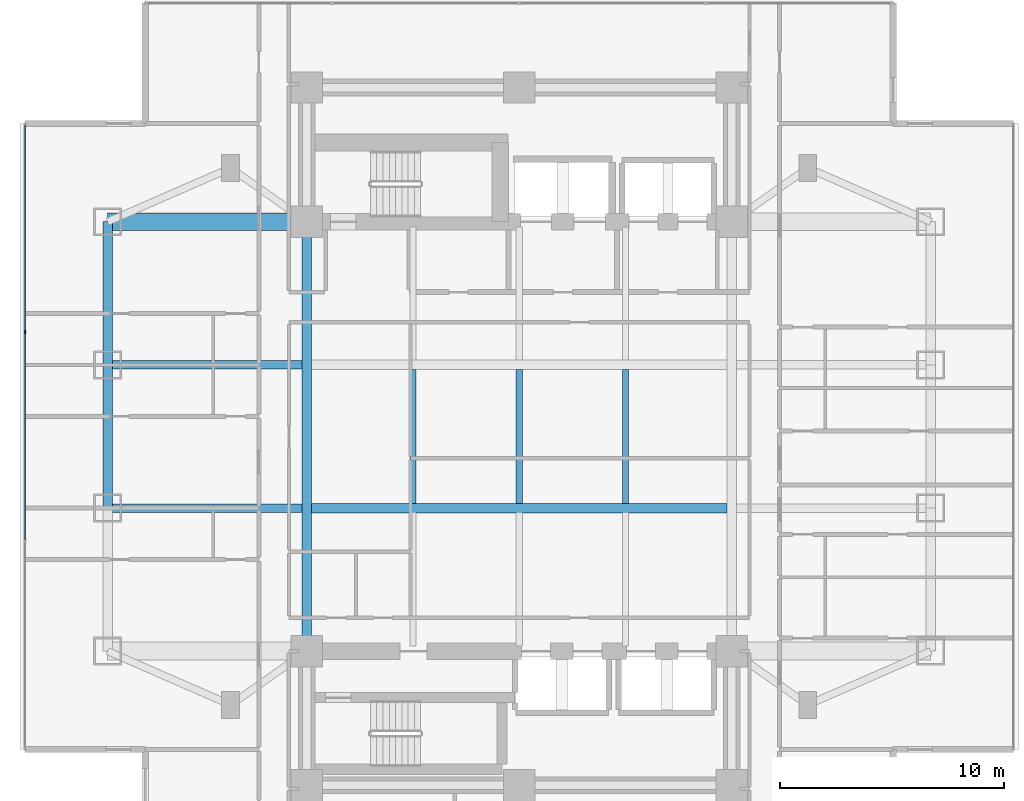
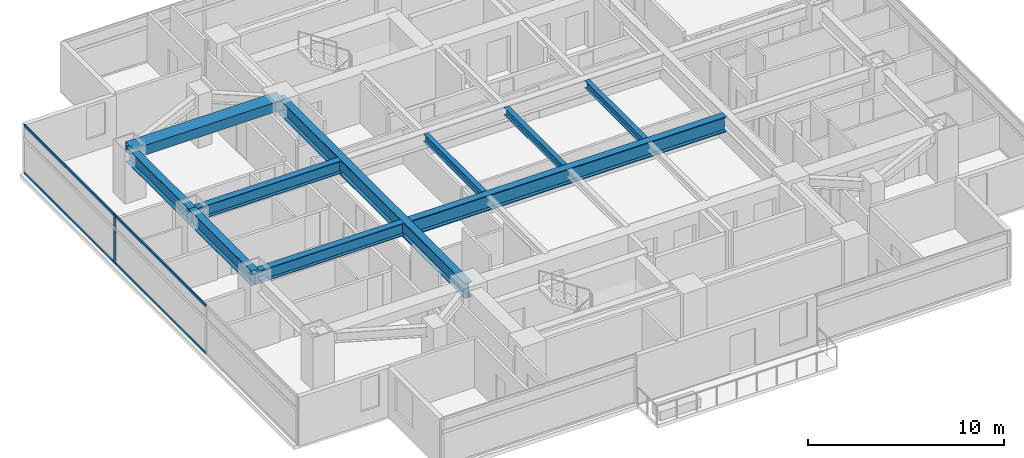
# One storey, part 3 of 25: 10 beams, 5 members, 1 element without a shape of its own.
"""IFC4 building model written with IfcOpenShell, lengths in metres."""

from ifc_helpers import new_model, si_unit, direction, frame, origin, origin_2d, place, context, subcontext, project, spatial, rectangle, i_section, extrude, material, material_profile, profile_set, type_object, element, aggregate, save


model = new_model("IFC4")

# Units and contexts
model_context = context("Model", 3, precision=1e-05, world=origin(), true_north=direction((0.0, 1.0)))
body_context = subcontext(model_context, "Body", "Model", "MODEL_VIEW")
ifc_project = project(units=[si_unit("LENGTHUNIT", "METRE"), si_unit("AREAUNIT", "SQUARE_METRE"), si_unit("VOLUMEUNIT", "CUBIC_METRE"), si_unit("PLANEANGLEUNIT", "RADIAN"), si_unit("MASSUNIT", "GRAM", prefix="KILO")], contexts=[model_context])

# Site, building, storey
site_placement = place(None, origin())
site = spatial("IfcSite", under=ifc_project, at=site_placement, CompositionType="ELEMENT")
building_placement = place(site_placement, origin())
building = spatial("IfcBuilding", under=site, at=building_placement, Name="Mirazonda Arch Towers", CompositionType="ELEMENT")
storey_placement = place(building_placement, frame((0.0, 0.0, 35.60009765625)))
storey = spatial("IfcBuildingStorey", under=building, at=storey_placement, Name="L09", CompositionType="ELEMENT", Elevation=35.60009765625)

# Beams
ifc_material_1 = material(Name="Steel ASTM A992 Grade 50", Category="steel")
ifc_material_profile_1 = material_profile(ifc_material_1, i_section(OverallWidth=0.41796875, OverallDepth=0.927001953125, WebThickness=0.019287109375, FlangeThickness=0.031982421875, at=origin_2d()), Name="W36X231")
ifc_profile_set_1 = profile_set([ifc_material_profile_1], Name="Steel ASTM A992 Grade 50")
beam_type_1 = type_object("IfcBeamType", Name="BM-EXT-W36X231", PredefinedType="USERDEFINED", material=ifc_profile_set_1)
beam_1_placement = place(storey_placement, frame((2.10009765625, 24.800048828125, 2.596435546875), z_axis=(0.0, 1.0, 0.0), x_axis=(-1.0, 0.0, 0.0)))
element("IfcBeam", 1, at=beam_1_placement, inside=storey, type_object=beam_type_1, Name="L09 Floor Beam BM-T1-L09-NS-W-24", ObjectType="GIRDER", PredefinedType="USERDEFINED", context=body_context, shape_type="SweptSolid", body=[
    extrude(i_section(OverallWidth=0.41796875, OverallDepth=0.927001953125, WebThickness=0.019287109375, FlangeThickness=0.031982421875, at=origin_2d()), origin(), (0.0, 0.0, 1.0), 6.39990234375),
])
beam_2_placement = place(storey_placement, frame((2.10009765625, 31.199951171875, 2.596435546875), z_axis=(0.0, 1.0, 0.0), x_axis=(-1.0, 0.0, 0.0)))
element("IfcBeam", 2, at=beam_2_placement, inside=storey, type_object=beam_type_1, Name="L09 Floor Beam BM-T1-L09-NS-W-31", ObjectType="GIRDER", PredefinedType="USERDEFINED", context=body_context, shape_type="SweptSolid", body=[
    extrude(i_section(OverallWidth=0.41796875, OverallDepth=0.927001953125, WebThickness=0.019287109375, FlangeThickness=0.031982421875, at=origin_2d()), origin(), (0.0, 0.0, 1.0), 6.400146484375),
])
ifc_material_profile_2 = material_profile(ifc_material_1, i_section(OverallWidth=0.280029296875, OverallDepth=0.462890625, WebThickness=0.0107421875, FlangeThickness=0.017333984375, at=origin_2d()), Name="W18X76")
ifc_profile_set_2 = profile_set([ifc_material_profile_2], Name="Steel ASTM A992 Grade 50")
beam_type_2 = type_object("IfcBeamType", Name="BM-INT-W18X76", PredefinedType="JOIST", material=ifc_profile_set_2)
for number, where, z_axis, x_axis, name in (
    (3, (15.75, 25.007568359375, 2.828369140625), (0.0, 1.0, 0.0), (-1.0, 0.0, 0.0), "L09 Floor Beam BM-T1-L09-J-157-24"),
    (4, (20.5, 25.007568359375, 2.828369140625), (0.0, 1.0, 0.0), (-1.0, 0.0, 0.0), "L09 Floor Beam BM-T1-L09-J-205-24"),
    (5, (25.25, 25.007568359375, 2.828369140625), (0.0, 1.0, 0.0), (-1.0, 0.0, 0.0), "L09 Floor Beam BM-T1-L09-J-252-24"),
):
    element("IfcBeam", number, at=place(storey_placement, frame(where, z_axis=z_axis, x_axis=x_axis)), inside=storey, type_object=beam_type_2, Name=name, PredefinedType="JOIST", context=body_context, shape_type="SweptSolid", body=[
        extrude(i_section(OverallWidth=0.280029296875, OverallDepth=0.462890625, WebThickness=0.0107421875, FlangeThickness=0.017333984375, at=origin_2d()), origin(), (0.0, 0.0, 1.0), 5.98486328125),
    ])
ifc_material_profile_3 = material_profile(ifc_material_1, i_section(OverallWidth=0.381103515625, OverallDepth=0.77294921875, WebThickness=0.0166015625, FlangeThickness=0.027099609375, at=origin_2d()), Name="W30X173")
ifc_profile_set_3 = profile_set([ifc_material_profile_3], Name="Steel ASTM A992 Grade 50")
beam_type_3 = type_object("IfcBeamType", Name="BM-INT-W30X173", PredefinedType="USERDEFINED", material=ifc_profile_set_3)
for number, where, z_axis, x_axis, name in (
    (6, (2.10009765625, 24.800048828125, 2.67333984375), (1.0, 0.0, 0.0), (0.0, 1.0, 0.0), "L09 Floor Beam BM-T1-L09-GW2"),
    (7, (2.10009765625, 31.199951171875, 2.67333984375), (1.0, 0.0, 0.0), (0.0, 1.0, 0.0), "L09 Floor Beam BM-T1-L09-GW3"),
):
    element("IfcBeam", number, at=place(storey_placement, frame(where, z_axis=z_axis, x_axis=x_axis)), inside=storey, type_object=beam_type_3, Name=name, ObjectType="GIRDER", PredefinedType="USERDEFINED", context=body_context, shape_type="SweptSolid", body=[
        extrude(i_section(OverallWidth=0.381103515625, OverallDepth=0.77294921875, WebThickness=0.0166015625, FlangeThickness=0.027099609375, at=origin_2d()), origin(), (0.0, 0.0, 1.0), 8.6884765625),
    ])
ifc_material_profile_4 = material_profile(ifc_material_1, i_section(OverallWidth=0.423095703125, OverallDepth=0.947998046875, WebThickness=0.02392578125, FlangeThickness=0.042724609375, at=origin_2d()), Name="W36X302")
ifc_profile_set_4 = profile_set([ifc_material_profile_4], Name="Steel ASTM A992 Grade 50")
beam_type_4 = type_object("IfcBeamType", Name="BM-INT-W36X302", PredefinedType="USERDEFINED", material=ifc_profile_set_4)
beam_3_placement = place(storey_placement, frame((11.21142578125, 24.800048828125, 2.5859375), z_axis=(1.0, 0.0, 0.0), x_axis=(0.0, 1.0, 0.0)))
element("IfcBeam", 8, at=beam_3_placement, inside=storey, type_object=beam_type_4, Name="L09 Floor Beam BM-T1-L09-GC2", ObjectType="GIRDER", PredefinedType="USERDEFINED", context=body_context, shape_type="SweptSolid", body=[
    extrude(i_section(OverallWidth=0.423095703125, OverallDepth=0.947998046875, WebThickness=0.02392578125, FlangeThickness=0.042724609375, at=origin_2d()), origin(), (0.0, 0.0, 1.0), 18.5771484375),
])
beam_4_placement = place(storey_placement, frame((11.0, 18.39990234375, 2.5859375), z_axis=(0.0, 1.0, 0.0), x_axis=(-1.0, 0.0, 0.0)))
element("IfcBeam", 9, at=beam_4_placement, inside=storey, type_object=beam_type_4, Name="L09 Floor Beam BM-T1-L09-NS-CW-FULL", ObjectType="GIRDER", PredefinedType="USERDEFINED", context=body_context, shape_type="SweptSolid", body=[
    extrude(i_section(OverallWidth=0.423095703125, OverallDepth=0.947998046875, WebThickness=0.02392578125, FlangeThickness=0.042724609375, at=origin_2d()), origin(), (0.0, 0.0, 1.0), 19.2001953125),
])
ifc_material_2 = material(Name="Concrete C60/75", Category="concrete")
ifc_material_profile_5 = material_profile(ifc_material_2, rectangle(XDim=0.800048828125, YDim=0.60009765625, at=origin_2d()), Name="RCCB800x600")
ifc_profile_set_5 = profile_set([ifc_material_profile_5], Name="Concrete C60/75")
beam_type_5 = type_object("IfcBeamType", Name="CB-INT-RCCB800x600", PredefinedType="SPANDREL", material=ifc_profile_set_5)
beam_5_placement = place(storey_placement, frame((2.10009765625, 37.60009765625, 2.760009765625), z_axis=(1.0, 0.0, 0.0), x_axis=(0.0, 1.0, 0.0)))
element("IfcBeam", 10, at=beam_5_placement, inside=storey, type_object=beam_type_5, Name="L09 Floor Beam CBC-T1-L09-NW", PredefinedType="SPANDREL", context=body_context, shape_type="SweptSolid", body=[
    extrude(rectangle(XDim=0.800048828125, YDim=0.60009765625, at=origin_2d()), origin(), (0.0, 0.0, 1.0), 8.89990234375),
])

# Curtain wall, members
ifc_material_3 = material(Name="Anodised Aluminium and Low-E Glass", Category="aluminium")
curtain_wall_type = type_object("IfcCurtainWallType", Name="CW-HTL-UNIT", PredefinedType="NOTDEFINED", material=ifc_material_3)
curtain_wall_placement = place(storey_placement, origin())
curtain_wall = element("IfcCurtainWall", 11, at=curtain_wall_placement, inside=storey, type_object=curtain_wall_type, Name="L09 T1 W Facade CW-L09-T1-W", PredefinedType="NOTDEFINED")
ifc_material_4 = material(Name="Anodised Aluminium Alloy", Category="aluminium")
ifc_material_profile_6 = material_profile(ifc_material_4, rectangle(XDim=0.074951171875, YDim=0.1650390625, at=origin_2d()), Name="ALU-MULL-75x165")
ifc_profile_set_6 = profile_set([ifc_material_profile_6], Name="Anodised Aluminium Alloy")
member_type_1 = type_object("IfcMemberType", Name="MULL-CW-HTL-UNIT", PredefinedType="MULLION", material=ifc_profile_set_6)
member_1_placement = place(storey_placement, frame((-1.60009765625, 32.6640625, 0.0), z_axis=(0.0, 0.0, 1.0), x_axis=(1.0, 0.0, 0.0)))
member_1 = element("IfcMember", 12, at=member_1_placement, type_object=member_type_1, Name="CW-112 mullion 2", PredefinedType="MULLION", context=body_context, shape_type="SweptSolid", body=[
    extrude(rectangle(XDim=0.074951171875, YDim=0.1650390625, at=origin_2d()), origin(), (0.0, 0.0, 1.0), 3.039794921875),
])
ifc_material_profile_7 = material_profile(ifc_material_4, rectangle(XDim=0.074951171875, YDim=0.14501953125, at=origin_2d()), Name="ALU-TRAN-75x145")
ifc_profile_set_7 = profile_set([ifc_material_profile_7], Name="Anodised Aluminium Alloy")
member_type_2 = type_object("IfcMemberType", Name="TRAN-CW-HTL-UNIT", PredefinedType="USERDEFINED", material=ifc_profile_set_7)
member_2_placement = place(storey_placement, frame((-1.60009765625, 41.9169921875, 0.037353515625), z_axis=(0.0, -1.0, 0.0), x_axis=(1.0, 0.0, 0.0)))
member_2 = element("IfcMember", 13, at=member_2_placement, type_object=member_type_2, Name="CW-112 transom 1.1", ObjectType="TRANSOM", PredefinedType="USERDEFINED", context=body_context, shape_type="SweptSolid", body=[
    extrude(rectangle(XDim=0.074951171875, YDim=0.14501953125, at=origin_2d()), origin(), (0.0, 0.0, 1.0), 9.215576171875),
])
member_3_placement = place(storey_placement, frame((-1.60009765625, 41.9169921875, 3.00244140625), z_axis=(0.0, -1.0, 0.0), x_axis=(1.0, 0.0, 0.0)))
member_3 = element("IfcMember", 14, at=member_3_placement, type_object=member_type_2, Name="CW-112 transom 1.2", ObjectType="TRANSOM", PredefinedType="USERDEFINED", context=body_context, shape_type="SweptSolid", body=[
    extrude(rectangle(XDim=0.074951171875, YDim=0.14501953125, at=origin_2d()), origin(), (0.0, 0.0, 1.0), 9.215576171875),
])
member_4_placement = place(storey_placement, frame((-1.60009765625, 32.62646484375, 0.037353515625), z_axis=(0.0, -1.0, 0.0), x_axis=(1.0, 0.0, 0.0)))
member_4 = element("IfcMember", 15, at=member_4_placement, type_object=member_type_2, Name="CW-112 transom 2.1", ObjectType="TRANSOM", PredefinedType="USERDEFINED", context=body_context, shape_type="SweptSolid", body=[
    extrude(rectangle(XDim=0.074951171875, YDim=0.14501953125, at=origin_2d()), origin(), (0.0, 0.0, 1.0), 9.2529296875),
])
member_5_placement = place(storey_placement, frame((-1.60009765625, 32.62646484375, 3.00244140625), z_axis=(0.0, -1.0, 0.0), x_axis=(1.0, 0.0, 0.0)))
member_5 = element("IfcMember", 16, at=member_5_placement, type_object=member_type_2, Name="CW-112 transom 2.2", ObjectType="TRANSOM", PredefinedType="USERDEFINED", context=body_context, shape_type="SweptSolid", body=[
    extrude(rectangle(XDim=0.074951171875, YDim=0.14501953125, at=origin_2d()), origin(), (0.0, 0.0, 1.0), 9.2529296875),
])
aggregate(curtain_wall, [member_1, member_2, member_3, member_4, member_5])

save(model, "model.ifc")
